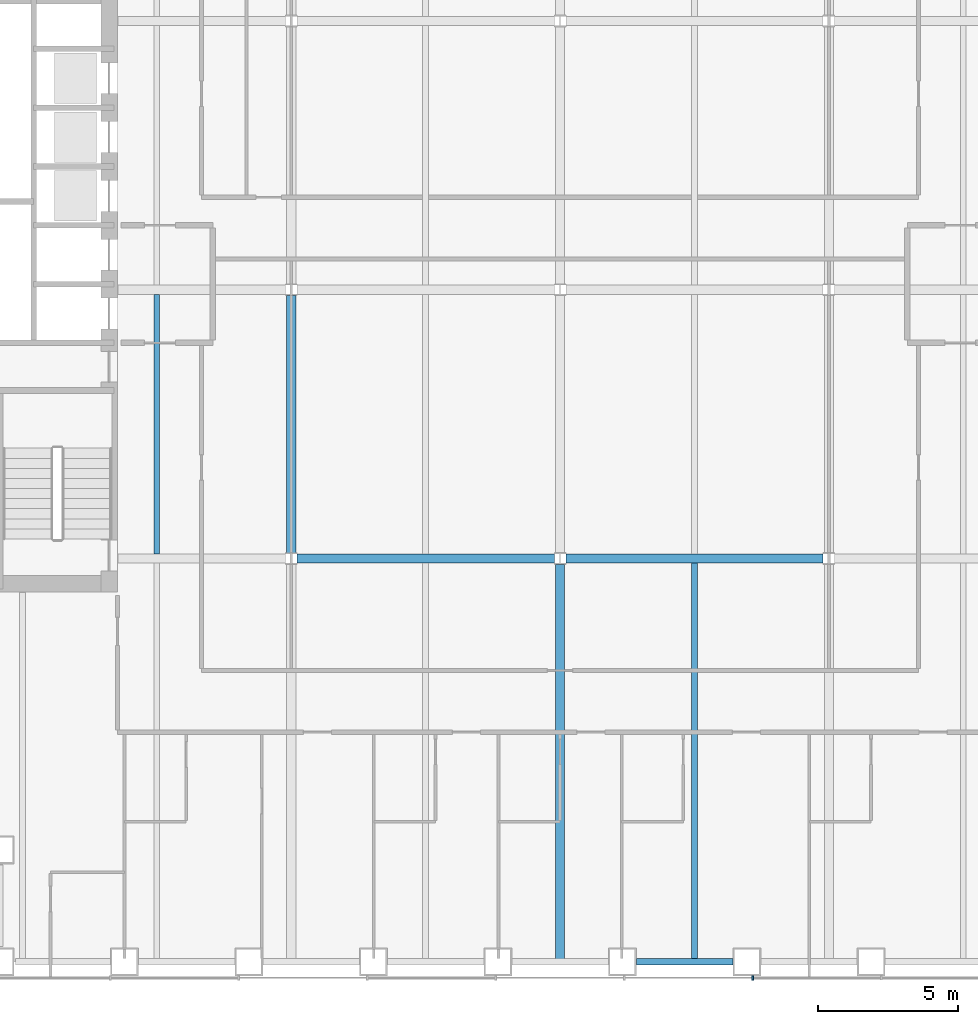
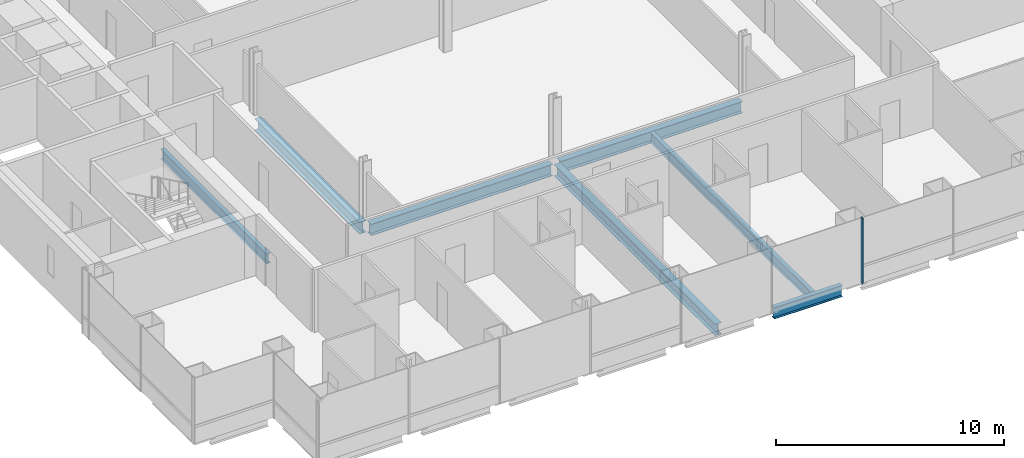
# One storey, part 3 of 21: 7 beams, 1 member, 1 element without a shape of its own.
"""IFC4 building model written with IfcOpenShell, lengths in metres."""

from ifc_helpers import new_model, si_unit, direction, frame, origin, origin_2d, place, context, subcontext, project, spatial, rectangle, i_section, extrude, material, material_profile, profile_set, type_object, element, aggregate, save


model = new_model("IFC4")

# Units and contexts
model_context = context("Model", 3, precision=1e-05, world=origin(), true_north=direction((0.0, 1.0)))
body_context = subcontext(model_context, "Body", "Model", "MODEL_VIEW")
ifc_project = project(units=[si_unit("LENGTHUNIT", "METRE"), si_unit("AREAUNIT", "SQUARE_METRE"), si_unit("VOLUMEUNIT", "CUBIC_METRE"), si_unit("PLANEANGLEUNIT", "RADIAN"), si_unit("MASSUNIT", "GRAM", prefix="KILO")], contexts=[model_context])

# Site, building, storey
site_placement = place(None, origin())
site = spatial("IfcSite", under=ifc_project, at=site_placement, CompositionType="ELEMENT")
building_placement = place(site_placement, origin())
building = spatial("IfcBuilding", under=site, at=building_placement, Name="Cobrizo Arcos Hotel Tower", CompositionType="ELEMENT")
storey_placement = place(building_placement, frame((0.0, 0.0, 42.5)))
storey = spatial("IfcBuildingStorey", under=building, at=storey_placement, Name="L08", CompositionType="ELEMENT", Elevation=42.5)

# Curtain wall, member
ifc_material_1 = material(Name="Aluminium 6063-T6 anodised bronze", Category="aluminium")
curtain_wall_type = type_object("IfcCurtainWallType", Name="CW-A guest facade", PredefinedType="NOTDEFINED", material=ifc_material_1)
curtain_wall_placement = place(storey_placement, origin())
curtain_wall = element("IfcCurtainWall", 1, at=curtain_wall_placement, inside=storey, type_object=curtain_wall_type, Name="CW-A L08 S face", PredefinedType="NOTDEFINED")
ifc_material_profile_1 = material_profile(ifc_material_1, rectangle(XDim=0.14990234375, YDim=0.06005859375, at=origin_2d()), Name="CW-A mullion 150x60")
ifc_profile_set_1 = profile_set([ifc_material_profile_1], Name="Aluminium 6063-T6 anodised bronze")
member_type = type_object("IfcMemberType", Name="CW-A mullion 150x60", PredefinedType="MULLION", material=ifc_profile_set_1)
member_placement = place(storey_placement, frame((6.88330078125, -24.574951171875, 0.0), z_axis=(0.0, 0.0, 1.0), x_axis=(0.0, -1.0, 0.0)))
member = element("IfcMember", 2, at=member_placement, type_object=member_type, Name="CW-A mullion 7", PredefinedType="MULLION", context=body_context, shape_type="SweptSolid", body=[
    extrude(rectangle(XDim=0.14990234375, YDim=0.06005859375, at=origin_2d()), origin(), (0.0, 0.0, 1.0), 3.5),
])
aggregate(curtain_wall, [member])

# Beams
ifc_material_2 = material(Name="Steel ASTM A992 Grade 50", Category="steel")
ifc_material_profile_2 = material_profile(ifc_material_2, i_section(OverallWidth=0.209228515625, OverallDepth=0.533447265625, WebThickness=0.01025390625, FlangeThickness=0.015625, at=origin_2d()), Name="W21X62")
ifc_profile_set_2 = profile_set([ifc_material_profile_2], Name="Steel ASTM A992 Grade 50")
beam_type_1 = type_object("IfcBeamType", Name="W21X62 joist", PredefinedType="JOIST", material=ifc_profile_set_2)
beam_1_placement = place(storey_placement, frame((-14.39990234375, -9.43603515625, -0.416748046875), z_axis=(0.0, 1.0, 0.0), x_axis=(-1.0, 0.0, 0.0)))
element("IfcBeam", 3, at=beam_1_placement, inside=storey, type_object=beam_type_1, Name="Floor joist J1, L08, no. 004", PredefinedType="JOIST", context=body_context, shape_type="SweptSolid", body=[
    extrude(i_section(OverallWidth=0.209228515625, OverallDepth=0.533447265625, WebThickness=0.01025390625, FlangeThickness=0.015625, at=origin_2d()), origin(), (0.0, 0.0, 1.0), 9.272216796875),
])
beam_2_placement = place(storey_placement, frame((4.800048828125, -23.909912109375, -0.416748046875), z_axis=(0.0, 1.0, 0.0), x_axis=(-1.0, 0.0, 0.0)))
element("IfcBeam", 4, at=beam_2_placement, inside=storey, type_object=beam_type_1, Name="Floor joist J1, L08, no. 011", PredefinedType="JOIST", context=body_context, shape_type="SweptSolid", body=[
    extrude(i_section(OverallWidth=0.209228515625, OverallDepth=0.533447265625, WebThickness=0.01025390625, FlangeThickness=0.015625, at=origin_2d()), origin(), (0.0, 0.0, 1.0), 14.14599609375),
])
ifc_material_profile_3 = material_profile(ifc_material_2, i_section(OverallWidth=0.32763671875, OverallDepth=0.622314453125, WebThickness=0.015380859375, FlangeThickness=0.0244140625, at=origin_2d()), Name="W24X131")
ifc_profile_set_3 = profile_set([ifc_material_profile_3], Name="Steel ASTM A992 Grade 50")
beam_type_2 = type_object("IfcBeamType", Name="W24X131 girder", PredefinedType="BEAM", material=ifc_profile_set_3)
for number, where, z_axis, x_axis, name in (
    (5, (-9.3955078125, -9.60009765625, -0.461181640625), (1.0, 0.0, 0.0), (0.0, 1.0, 0.0), "Floor girder G1, L08, no. 002"),
    (6, (0.204345703125, -9.60009765625, -0.461181640625), (1.0, 0.0, 0.0), (0.0, 1.0, 0.0), "Floor girder G1, L08, no. 003"),
    (7, (-9.60009765625, -9.3955078125, -0.461181640625), (0.0, 1.0, 0.0), (-1.0, 0.0, 0.0), "Floor girder G1, L08, no. 014"),
):
    element("IfcBeam", number, at=place(storey_placement, frame(where, z_axis=z_axis, x_axis=x_axis)), inside=storey, type_object=beam_type_2, Name=name, PredefinedType="BEAM", context=body_context, shape_type="SweptSolid", body=[
        extrude(i_section(OverallWidth=0.32763671875, OverallDepth=0.622314453125, WebThickness=0.015380859375, FlangeThickness=0.0244140625, at=origin_2d()), origin(), (0.0, 0.0, 1.0), 9.191162109375),
    ])
beam_3_placement = place(storey_placement, frame((0.0, -23.909912109375, -0.461181640625), z_axis=(0.0, 1.0, 0.0), x_axis=(-1.0, 0.0, 0.0)))
element("IfcBeam", 8, at=beam_3_placement, inside=storey, type_object=beam_type_2, Name="Floor girder G1, L08, no. 017", PredefinedType="BEAM", context=body_context, shape_type="SweptSolid", body=[
    extrude(i_section(OverallWidth=0.32763671875, OverallDepth=0.622314453125, WebThickness=0.015380859375, FlangeThickness=0.0244140625, at=origin_2d()), origin(), (0.0, 0.0, 1.0), 14.10546875),
])
ifc_material_profile_4 = material_profile(ifc_material_2, i_section(OverallWidth=0.23046875, OverallDepth=0.6171875, WebThickness=0.01318359375, FlangeThickness=0.022216796875, at=origin_2d()), Name="W24X94")
ifc_profile_set_4 = profile_set([ifc_material_profile_4], Name="Steel ASTM A992 Grade 50")
beam_type_3 = type_object("IfcBeamType", Name="W24X94 spandrel", PredefinedType="SPANDREL", material=ifc_profile_set_4)
beam_4_placement = place(storey_placement, frame((2.721923828125, -24.0, -0.45849609375), z_axis=(1.0, 0.0, 0.0), x_axis=(0.0, 1.0, 0.0)))
element("IfcBeam", 9, at=beam_4_placement, inside=storey, type_object=beam_type_3, Name="Spandrel beam W24X94, L08, no. 006", PredefinedType="SPANDREL", context=body_context, shape_type="SweptSolid", body=[
    extrude(i_section(OverallWidth=0.23046875, OverallDepth=0.6171875, WebThickness=0.01318359375, FlangeThickness=0.022216796875, at=origin_2d()), origin(), (0.0, 0.0, 1.0), 3.445068359375),
])

save(model, "model.ifc")
